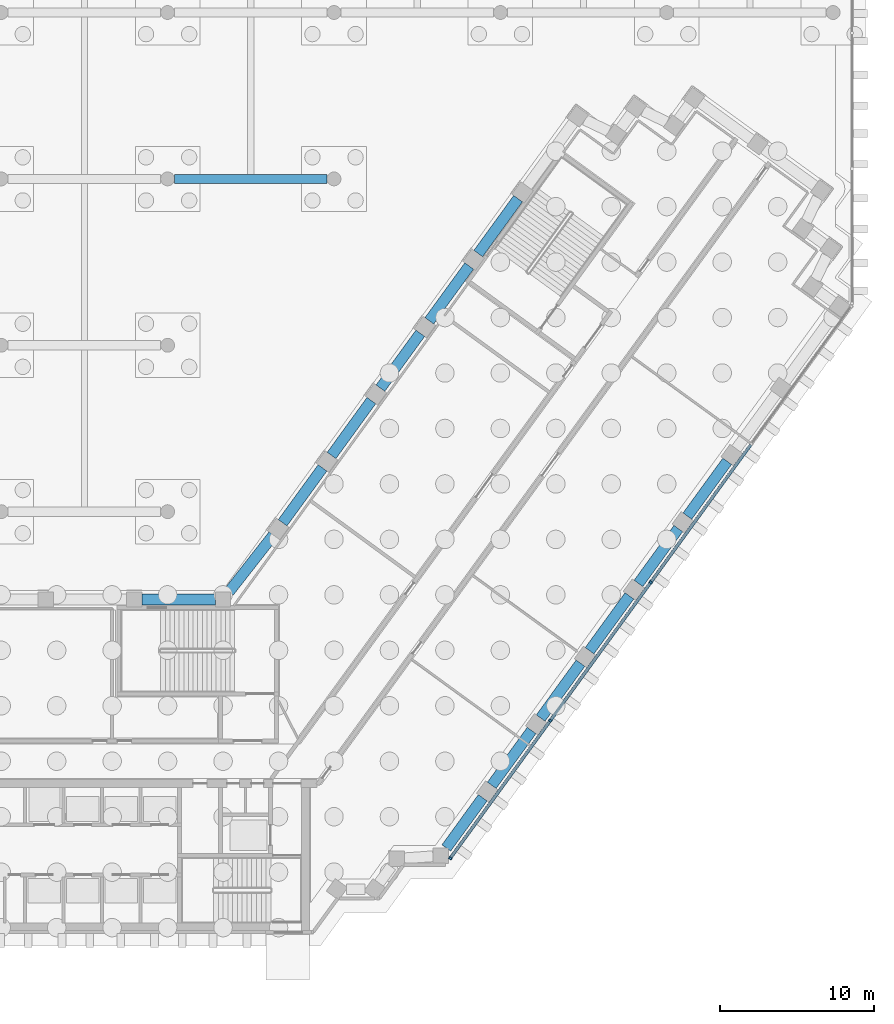
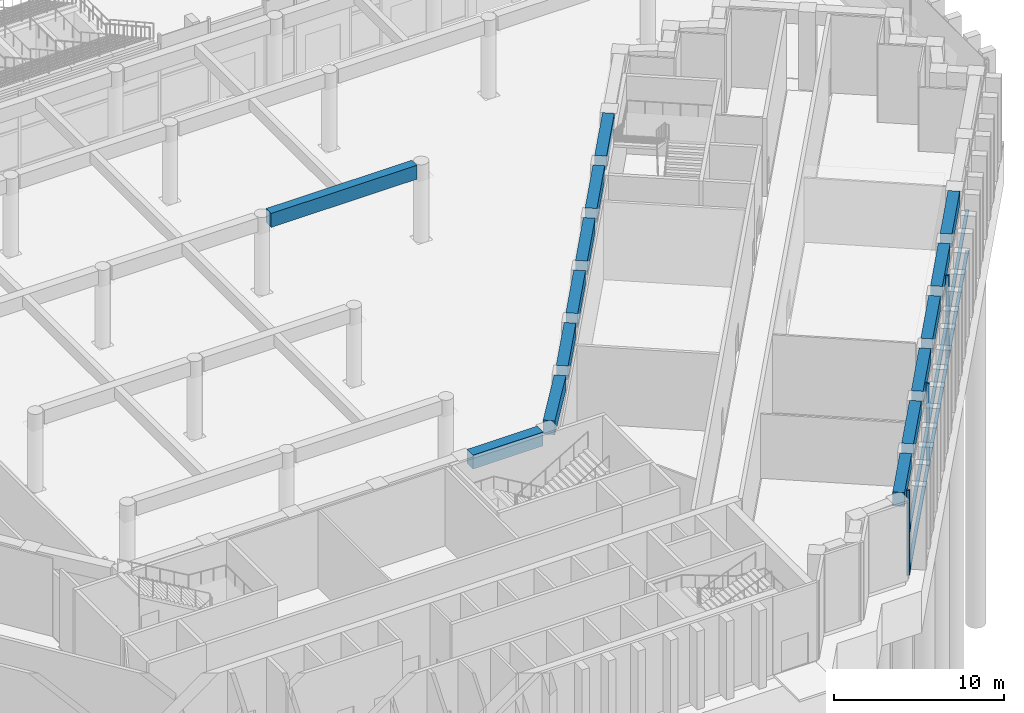
# One storey, part 8 of 32: 14 beams, 9 members, 1 element without a shape of its own.
"""IFC4 building model written with IfcOpenShell, lengths in metres."""

import ifcopenshell
import ifcopenshell.guid

model = None  # the IFC model being written
_history = None  # IfcOwnerHistory: only IFC2X3 demands one
_inside = {}  # id of a spatial element -> (the spatial element, [elements in it])
_under = {}  # id of a project, library or spatial element -> (it, [spatial elements below it])
_declared = {}  # id of a project -> (the project, [libraries it declares])
_typed = {}  # id of a type object -> (the type object, [elements of that type])
_made_of = {}  # id of a material, layer set ... -> (it, [elements and type objects made of it])


def new_model(schema):
    """Start an empty IFC model of exactly this schema.

    Asked for "IFC4X3", IfcOpenShell would pick the latest addendum, in which some entities
    have other attributes; the version numbers below select the first issue.
    IFC2X3 requires an IfcOwnerHistory on every rooted entity: one is made here for all.
    """
    global model, _history
    if schema == "IFC4X3":
        model = ifcopenshell.file(schema_version=(4, 3, 0, 0))
    else:
        model = ifcopenshell.file(schema=schema)
    _inside.clear()
    _under.clear()
    _declared.clear()
    _typed.clear()
    _made_of.clear()
    _history = None
    if model.schema == "IFC2X3":
        org = make("IfcOrganization", Name="unknown")
        user = make(
            "IfcPersonAndOrganization",
            ThePerson=make("IfcPerson", FamilyName="unknown"),
            TheOrganization=org,
        )
        app = make(
            "IfcApplication",
            ApplicationDeveloper=org,
            Version="unknown",
            ApplicationFullName="unknown",
            ApplicationIdentifier="unknown",
        )
        _history = make(
            "IfcOwnerHistory",
            OwningUser=user,
            OwningApplication=app,
            ChangeAction="ADDED",
            CreationDate=0,
        )
    return model


def make(cls, **values):
    """One entity of the class cls with the attributes given. An attribute that is None is left unset."""
    return model.create_entity(
        cls, **{name: value for name, value in values.items() if value is not None}
    )


def rooted(cls, **values):
    """An entity with a GlobalId (a new one), such as an element, a storey or a relation."""
    return make(cls, GlobalId=ifcopenshell.guid.new(), OwnerHistory=_history, **values)


def si_unit(unit_type, name, prefix=None):
    """IfcSIUnit, for example si_unit("LENGTHUNIT", "METRE", prefix="MILLI")."""
    return make("IfcSIUnit", UnitType=unit_type, Prefix=prefix, Name=name)


def assignment(units):
    """IfcUnitAssignment: the units of a project."""
    return None if units is None else make("IfcUnitAssignment", Units=units)


def point(xyz):
    """IfcCartesianPoint."""
    return None if xyz is None else make("IfcCartesianPoint", Coordinates=xyz)


def direction(xyz):
    """IfcDirection."""
    return None if xyz is None else make("IfcDirection", DirectionRatios=xyz)


def frame(location, z_axis=None, x_axis=None):
    """IfcAxis2Placement3D, a coordinate frame: its origin and axes. An axis left out is left unset."""
    return make(
        "IfcAxis2Placement3D",
        Location=point(location),
        Axis=direction(z_axis),
        RefDirection=direction(x_axis),
    )


def frame_2d(location, x_axis=None):
    """IfcAxis2Placement2D, a coordinate frame in the plane: its origin and x axis."""
    return make(
        "IfcAxis2Placement2D", Location=point(location), RefDirection=direction(x_axis)
    )


def origin():
    """The frame at (0, 0, 0) with its axes left unset."""
    return frame((0.0, 0.0, 0.0))


def origin_2d():
    """The frame at (0, 0) in the plane with its x axis left unset."""
    return frame_2d((0.0, 0.0))


def place(relative_to, where):
    """IfcLocalPlacement: puts the frame where relative to a parent placement (None: the world)."""
    return make(
        "IfcLocalPlacement", PlacementRelTo=relative_to, RelativePlacement=where
    )


def context(
    kind, dimensions, precision=None, world=None, true_north=None, identifier=None
):
    """IfcGeometricRepresentationContext, for example the 3D "Model" context."""
    return make(
        "IfcGeometricRepresentationContext",
        ContextIdentifier=identifier,
        ContextType=kind,
        CoordinateSpaceDimension=dimensions,
        Precision=precision,
        WorldCoordinateSystem=world,
        TrueNorth=true_north,
    )


def subcontext(parent, identifier, kind, view, scale=None):
    """IfcGeometricRepresentationSubContext, for example "Body" below "Model"."""
    return make(
        "IfcGeometricRepresentationSubContext",
        ContextIdentifier=identifier,
        ContextType=kind,
        ParentContext=parent,
        TargetScale=scale,
        TargetView=view,
    )


def project(units=None, contexts=None):
    """IfcProject with its units and contexts."""
    return rooted(
        "IfcProject",
        Name="project",
        RepresentationContexts=contexts,
        UnitsInContext=assignment(units),
    )


def spatial(cls, under=None, at=None, **own):
    """A site, building, storey or space (cls), placed at a placement, below another one or the project."""
    s = rooted(cls, ObjectPlacement=at, **own)
    if under is not None:
        _under.setdefault(under.id(), (under, []))[1].append(s)
    return s


def profile(cls, at=None, kind="AREA", **sizes):
    """A parametric profile (cls). Its sizes go by their IFC names, for example OverallWidth=200.0."""
    return make(cls, ProfileType=kind, Position=at, **sizes)


def rectangle(**sizes):
    """IfcRectangleProfileDef."""
    return profile("IfcRectangleProfileDef", **sizes)


def extrude(swept, where, along, depth):
    """IfcExtrudedAreaSolid: the profile swept, set in the frame where, extruded along a direction by depth."""
    return make(
        "IfcExtrudedAreaSolid",
        SweptArea=swept,
        Position=where,
        ExtrudedDirection=direction(along),
        Depth=depth,
    )


def shape(context_of_items, identifier, shape_type, items):
    """IfcShapeRepresentation: the items that make up one representation, for example the "Body"."""
    return make(
        "IfcShapeRepresentation",
        ContextOfItems=context_of_items,
        RepresentationIdentifier=identifier,
        RepresentationType=shape_type,
        Items=items,
    )


def material(Name=None, Category=None):
    """IfcMaterial."""
    return make("IfcMaterial", Name=Name, Category=Category)


def material_profile(
    of_material, cross_section, Name=None, Category=None, Priority=None
):
    """IfcMaterialProfile: a cross section and its material."""
    return make(
        "IfcMaterialProfile",
        Name=Name,
        Material=of_material,
        Profile=cross_section,
        Priority=Priority,
        Category=Category,
    )


def profile_set(profiles, Name=None, composite=None):
    """IfcMaterialProfileSet."""
    return make(
        "IfcMaterialProfileSet",
        Name=Name,
        MaterialProfiles=profiles,
        CompositeProfile=composite,
    )


def made_of(thing, what):
    """Note that an element or type object is made of a material, layer set ...; save() writes the relation."""
    if what is not None:
        _made_of.setdefault(what.id(), (what, []))[1].append(thing)
    return thing


def type_object(cls, material=None, **own):
    """A type object (cls), such as IfcWallType, which elements share."""
    return made_of(rooted(cls, **own), material)


def element(
    cls,
    number,
    at=None,
    inside=None,
    cuts=None,
    type_object=None,
    material=None,
    context=None,
    identifier="Body",
    shape_type=None,
    held_by="IfcProductDefinitionShape",
    body=None,
    shapes=None,
    **own,
):
    """One element of the class cls, such as IfcWall. Its Tag is "e" and its number.

    at: its placement. inside: the storey or other place that contains it. cuts: it is an
    opening in that element (IfcRelVoidsElement). A single representation is given by context,
    identifier, shape_type and body (its items); several are given by shapes. held_by: the class
    of the entity that holds the representations. save() writes the other relations.
    """
    e = rooted(cls, Tag="e%d" % number, ObjectPlacement=at, **own)
    if body is not None:
        shapes = [shape(context, identifier, shape_type, body)]
    if shapes is not None:
        e.Representation = make(held_by, Representations=shapes)
    if inside is not None:
        _inside.setdefault(inside.id(), (inside, []))[1].append(e)
    if cuts is not None:
        rooted(
            "IfcRelVoidsElement", RelatingBuildingElement=cuts, RelatedOpeningElement=e
        )
    if type_object is not None:
        _typed.setdefault(type_object.id(), (type_object, []))[1].append(e)
    return made_of(e, material)


def aggregate(whole, parts):
    """IfcRelAggregates: a whole, such as a stair, and the parts it consists of."""
    return rooted("IfcRelAggregates", RelatingObject=whole, RelatedObjects=parts)


def save(model, path):
    """Write the relations noted so far, then the file.

    IfcRelAggregates (storeys below a building ...), IfcRelContainedInSpatialStructure (elements
    in a storey), IfcRelDefinesByType, IfcRelAssociatesMaterial and IfcRelDeclares: one each for
    every whole, place, type object, material and project.
    """
    for whole, parts in _under.values():
        aggregate(whole, parts)
    for where, things in _inside.values():
        rooted(
            "IfcRelContainedInSpatialStructure",
            RelatedElements=things,
            RelatingStructure=where,
        )
    for kind, things in _typed.values():
        rooted("IfcRelDefinesByType", RelatedObjects=things, RelatingType=kind)
    for what, things in _made_of.values():
        rooted("IfcRelAssociatesMaterial", RelatedObjects=things, RelatingMaterial=what)
    for by, libraries in _declared.values():
        rooted("IfcRelDeclares", RelatingContext=by, RelatedDefinitions=libraries)
    model.write(path)


model = new_model("IFC4")

# Units and contexts
model_context = context("Model", 3, precision=1e-05, world=origin(), true_north=direction((0.0, 1.0)))
body_context = subcontext(model_context, "Body", "Model", "MODEL_VIEW")
ifc_project = project(units=[si_unit("LENGTHUNIT", "METRE"), si_unit("AREAUNIT", "SQUARE_METRE"), si_unit("VOLUMEUNIT", "CUBIC_METRE"), si_unit("PLANEANGLEUNIT", "RADIAN"), si_unit("MASSUNIT", "GRAM", prefix="KILO")], contexts=[model_context])

# Site, building, storey
site_placement = place(None, origin())
site = spatial("IfcSite", under=ifc_project, at=site_placement, CompositionType="ELEMENT")
building_placement = place(site_placement, origin())
building = spatial("IfcBuilding", under=site, at=building_placement, Name="Quipu Civic Tower", CompositionType="ELEMENT")
storey_placement = place(building_placement, origin())
storey = spatial("IfcBuildingStorey", under=building, at=storey_placement, Name="L00", CompositionType="ELEMENT", Elevation=0.0)

# Beam
ifc_material_1 = material(Name="Concrete C50/60", Category="concrete")
ifc_material_profile_1 = material_profile(ifc_material_1, rectangle(XDim=0.60009765625, YDim=1.0, at=origin_2d()), Name="RC600x1000")
ifc_profile_set_1 = profile_set([ifc_material_profile_1], Name="Concrete C50/60")
beam_type_1 = type_object("IfcBeamType", Name="Deck girder RC 600x1000 C50/60", PredefinedType="BEAM", material=ifc_profile_set_1)
beam_1_placement = place(storey_placement, frame((11.25, 37.800048828125, 5.10009765625), z_axis=(1.0, 0.0, 0.0), x_axis=(0.0, 1.0, 0.0)))
element("IfcBeam", 1, at=beam_1_placement, inside=storey, type_object=beam_type_1, Name="Deck girder 2 38", PredefinedType="BEAM", context=body_context, shape_type="SweptSolid", body=[
    extrude(rectangle(XDim=0.60009765625, YDim=1.0, at=origin_2d()), origin(), (0.0, 0.0, 1.0), 9.89990234375),
])

# Curtain wall, members
ifc_material_2 = material(Name="Insulated glass unit", Category="glass")
curtain_wall_type = type_object("IfcCurtainWallType", Name="Hall glazing CW2", PredefinedType="NOTDEFINED", material=ifc_material_2)
curtain_wall_placement = place(storey_placement, origin())
curtain_wall = element("IfcCurtainWall", 2, at=curtain_wall_placement, inside=storey, type_object=curtain_wall_type, Name="Hall glazing CW2 L00 run 1", PredefinedType="NOTDEFINED")
ifc_material_3 = material(Name="Anodised aluminium", Category="aluminium")
ifc_material_profile_2 = material_profile(ifc_material_3, rectangle(XDim=0.199951171875, YDim=0.139892578125, at=origin_2d()), Name="RECT 200x140")
ifc_profile_set_2 = profile_set([ifc_material_profile_2], Name="Anodised aluminium")
member_type_1 = type_object("IfcMemberType", Name="Mullion CW2", PredefinedType="MULLION", material=ifc_profile_set_2)
member_1_placement = place(storey_placement, frame((29.14697265625, -6.294677734375, 0.0), z_axis=(0.0, 0.0, 1.0), x_axis=(-0.809017581064, 0.587784444783, 0.0)))
member_1 = element("IfcMember", 3, at=member_1_placement, type_object=member_type_1, Name="CW2 mullion 1", PredefinedType="MULLION", context=body_context, shape_type="SweptSolid", body=[
    extrude(rectangle(XDim=0.199951171875, YDim=0.139892578125, at=origin_2d()), origin(), (0.0, 0.0, 1.0), 6.090087890625),
])
member_2_placement = place(storey_placement, frame((35.63427734375, 2.63427734375, 0.0), z_axis=(0.0, 0.0, 1.0), x_axis=(-0.809017581064, 0.587784444783, 0.0)))
member_2 = element("IfcMember", 4, at=member_2_placement, type_object=member_type_1, Name="CW2 mullion 2", PredefinedType="MULLION", context=body_context, shape_type="SweptSolid", body=[
    extrude(rectangle(XDim=0.199951171875, YDim=0.139892578125, at=origin_2d()), origin(), (0.0, 0.0, 1.0), 6.090087890625),
])
member_3_placement = place(storey_placement, frame((42.162841796875, 11.619873046875, 0.0), z_axis=(0.0, 0.0, 1.0), x_axis=(-0.809017581064, 0.587784444783, 0.0)))
member_3 = element("IfcMember", 5, at=member_3_placement, type_object=member_type_1, Name="CW2 mullion 3", PredefinedType="MULLION", context=body_context, shape_type="SweptSolid", body=[
    extrude(rectangle(XDim=0.199951171875, YDim=0.139892578125, at=origin_2d()), origin(), (0.0, 0.0, 1.0), 6.090087890625),
])

# Beams
ifc_material_4 = material(Name="Concrete C50/60", Category="concrete")
ifc_material_profile_3 = material_profile(ifc_material_4, rectangle(XDim=0.699951171875, YDim=1.0, at=origin_2d()), Name="RC700x1000")
ifc_profile_set_3 = profile_set([ifc_material_profile_3], Name="Concrete C50/60")
beam_type_2 = type_object("IfcBeamType", Name="Spandrel beam RC 700x1000 C50/60", PredefinedType="SPANDREL", material=ifc_profile_set_3)
beam_2_placement = place(storey_placement, frame((28.88818359375, -5.6298828125, 5.10009765625), z_axis=(0.587811022966, 0.808998270258, 0.0), x_axis=(-0.808998270258, 0.587811022966, 0.0)))
element("IfcBeam", 6, at=beam_2_placement, inside=storey, type_object=beam_type_2, Name="Spandrel beam L00 J-Eo.4 to E-OUT-01", PredefinedType="SPANDREL", context=body_context, shape_type="SweptSolid", body=[
    extrude(rectangle(XDim=0.699951171875, YDim=1.0, at=origin_2d()), origin(), (0.0, 0.0, 1.0), 4.025390625),
])
for number, where, z_axis, x_axis, name in (
    (7, (31.84228515625, -1.564208984375, 5.10009765625), (0.587759228046, 0.809035901457, 0.0), (-0.809035901457, 0.587759228046, 0.0), "Spandrel beam L00 E-OUT-01 to E-OUT-02"),
    (8, (35.01611328125, 2.804443359375, 5.10009765625), (0.587759228046, 0.809035901457, 0.0), (-0.809035901457, 0.587759228046, 0.0), "Spandrel beam L00 E-OUT-02 to E-OUT-03"),
    (9, (38.190185546875, 7.173095703125, 5.10009765625), (0.58779554378, 0.809009517072, 0.0), (-0.809009517072, 0.58779554378, 0.0), "Spandrel beam L00 E-OUT-03 to E-OUT-04"),
    (10, (41.3642578125, 11.5419921875, 5.10009765625), (0.587759228046, 0.809035901457, 0.0), (-0.809035901457, 0.587759228046, 0.0), "Spandrel beam L00 E-OUT-04 to E-OUT-05"),
):
    element("IfcBeam", number, at=place(storey_placement, frame(where, z_axis=z_axis, x_axis=x_axis)), inside=storey, type_object=beam_type_2, Name=name, PredefinedType="SPANDREL", context=body_context, shape_type="SweptSolid", body=[
        extrude(rectangle(XDim=0.699951171875, YDim=1.0, at=origin_2d()), origin(), (0.0, 0.0, 1.0), 4.400146484375),
    ])
beam_3_placement = place(storey_placement, frame((44.538330078125, 15.91064453125, 5.10009765625), z_axis=(0.587785613349, 0.809016732052, 0.0), x_axis=(-0.809016732052, 0.587785613349, 0.0)))
element("IfcBeam", 11, at=beam_3_placement, inside=storey, type_object=beam_type_2, Name="Spandrel beam L00 E-OUT-05 to E-OUT-06", PredefinedType="SPANDREL", context=body_context, shape_type="SweptSolid", body=[
    extrude(rectangle(XDim=0.699951171875, YDim=1.0, at=origin_2d()), origin(), (0.0, 0.0, 1.0), 4.39990234375),
])
for number, where, z_axis, x_axis, name in (
    (12, (33.549072265625, 36.5146484375, 5.10009765625), (-0.587759228046, -0.809035901457, 0.0), (0.809035901457, -0.587759228046, 0.0), "Spandrel beam L00 E-IN-06 to E-IN-05"),
    (13, (30.375244140625, 32.145751953125, 5.10009765625), (-0.587759228046, -0.809035901457, 0.0), (0.809035901457, -0.587759228046, 0.0), "Spandrel beam L00 E-IN-05 to E-IN-04"),
    (14, (27.201416015625, 27.777099609375, 5.10009765625), (-0.587732844487, -0.809055068281, 0.0), (0.809055068281, -0.587732844487, 0.0), "Spandrel beam L00 E-IN-04 to E-IN-03"),
    (15, (24.02734375, 23.408203125, 5.10009765625), (-0.587759228046, -0.809035901457, 0.0), (0.809035901457, -0.587759228046, 0.0), "Spandrel beam L00 E-IN-03 to E-IN-02"),
):
    element("IfcBeam", number, at=place(storey_placement, frame(where, z_axis=z_axis, x_axis=x_axis)), inside=storey, type_object=beam_type_2, Name=name, PredefinedType="SPANDREL", context=body_context, shape_type="SweptSolid", body=[
        extrude(rectangle(XDim=0.699951171875, YDim=1.0, at=origin_2d()), origin(), (0.0, 0.0, 1.0), 4.400146484375),
    ])
beam_4_placement = place(storey_placement, frame((20.853515625, 19.039306640625, 5.10009765625), z_axis=(-0.587722908759, -0.809062285934, 0.0), x_axis=(0.809062285934, -0.587722908759, 0.0)))
element("IfcBeam", 16, at=beam_4_placement, inside=storey, type_object=beam_type_2, Name="Spandrel beam L00 E-IN-02 to E-IN-01", PredefinedType="SPANDREL", context=body_context, shape_type="SweptSolid", body=[
    extrude(rectangle(XDim=0.699951171875, YDim=1.0, at=origin_2d()), origin(), (0.0, 0.0, 1.0), 4.39990234375),
])
beam_5_placement = place(storey_placement, frame((17.665283203125, 14.680908203125, 5.10009765625), z_axis=(-0.616068753057, -0.787692383806, 0.0), x_axis=(0.787692383806, -0.616068753057, 0.0)))
element("IfcBeam", 17, at=beam_5_placement, inside=storey, type_object=beam_type_2, Name="Spandrel beam L00 E-IN-01 to J-Ei.0", PredefinedType="SPANDREL", context=body_context, shape_type="SweptSolid", body=[
    extrude(rectangle(XDim=0.699951171875, YDim=1.0, at=origin_2d()), origin(), (0.0, 0.0, 1.0), 4.673095703125),
])
beam_6_placement = place(storey_placement, frame((13.895263671875, 10.5, 5.10009765625), z_axis=(-1.0, 0.0, 0.0), x_axis=(0.0, -1.0, 0.0)))
element("IfcBeam", 18, at=beam_6_placement, inside=storey, type_object=beam_type_2, Name="Spandrel beam L00 J-Ei.0 to FRONT-01", PredefinedType="SPANDREL", context=body_context, shape_type="SweptSolid", body=[
    extrude(rectangle(XDim=0.699951171875, YDim=1.0, at=origin_2d()), origin(), (0.0, 0.0, 1.0), 4.758056640625),
])

# Member
ifc_material_5 = material(Name="Anodised aluminium", Category="aluminium")
ifc_material_profile_4 = material_profile(ifc_material_5, rectangle(XDim=0.199951171875, YDim=0.179931640625, at=origin_2d()), Name="RECT 200x180")
ifc_profile_set_4 = profile_set([ifc_material_profile_4], Name="Anodised aluminium")
member_type_2 = type_object("IfcMemberType", Name="Transom CW2", PredefinedType="USERDEFINED", material=ifc_profile_set_4)
member_4_placement = place(storey_placement, frame((29.188232421875, -6.238037109375, 0.090087890625), z_axis=(0.587789297473, 0.809014055364, 0.0), x_axis=(-0.809014055364, 0.587789297473, 0.0)))
member_4 = element("IfcMember", 19, at=member_4_placement, type_object=member_type_2, Name="CW2 transom 1.1", ObjectType="TRANSOM", PredefinedType="USERDEFINED", context=body_context, shape_type="SweptSolid", body=[
    extrude(rectangle(XDim=0.199951171875, YDim=0.179931640625, at=origin_2d()), origin(), (0.0, 0.0, 1.0), 10.896728515625),
])

member_5_placement = place(storey_placement, frame((29.188232421875, -6.238037109375, 3.0), z_axis=(0.587789297473, 0.809014055364, 0.0), x_axis=(-0.809014055364, 0.587789297473, 0.0)))
member_5 = element("IfcMember", 20, at=member_5_placement, type_object=member_type_2, Name="CW2 transom 1.2", ObjectType="TRANSOM", PredefinedType="USERDEFINED", context=body_context, shape_type="SweptSolid", body=[
    extrude(rectangle(XDim=0.199951171875, YDim=0.179931640625, at=origin_2d()), origin(), (0.0, 0.0, 1.0), 10.896728515625),
])

member_6_placement = place(storey_placement, frame((35.675537109375, 2.69091796875, 0.090087890625), z_axis=(0.587781143224, 0.809019979772, 0.0), x_axis=(-0.809019979772, 0.587781143224, 0.0)))
member_6 = element("IfcMember", 21, at=member_6_placement, type_object=member_type_2, Name="CW2 transom 2.1", ObjectType="TRANSOM", PredefinedType="USERDEFINED", context=body_context, shape_type="SweptSolid", body=[
    extrude(rectangle(XDim=0.199951171875, YDim=0.179931640625, at=origin_2d()), origin(), (0.0, 0.0, 1.0), 10.966796875),
])

member_7_placement = place(storey_placement, frame((35.675537109375, 2.69091796875, 3.0), z_axis=(0.587781143224, 0.809019979772, 0.0), x_axis=(-0.809019979772, 0.587781143224, 0.0)))
member_7 = element("IfcMember", 22, at=member_7_placement, type_object=member_type_2, Name="CW2 transom 2.2", ObjectType="TRANSOM", PredefinedType="USERDEFINED", context=body_context, shape_type="SweptSolid", body=[
    extrude(rectangle(XDim=0.199951171875, YDim=0.179931640625, at=origin_2d()), origin(), (0.0, 0.0, 1.0), 10.966796875),
])

member_8_placement = place(storey_placement, frame((42.203857421875, 11.676513671875, 0.090087890625), z_axis=(0.587795713653, 0.809009393648, 0.0), x_axis=(-0.809009393648, 0.587795713653, 0.0)))
member_8 = element("IfcMember", 23, at=member_8_placement, type_object=member_type_2, Name="CW2 transom 3.1", ObjectType="TRANSOM", PredefinedType="USERDEFINED", context=body_context, shape_type="SweptSolid", body=[
    extrude(rectangle(XDim=0.199951171875, YDim=0.179931640625, at=origin_2d()), origin(), (0.0, 0.0, 1.0), 10.966796875),
])

member_9_placement = place(storey_placement, frame((42.203857421875, 11.676513671875, 3.0), z_axis=(0.587795713653, 0.809009393648, 0.0), x_axis=(-0.809009393648, 0.587795713653, 0.0)))
member_9 = element("IfcMember", 24, at=member_9_placement, type_object=member_type_2, Name="CW2 transom 3.2", ObjectType="TRANSOM", PredefinedType="USERDEFINED", context=body_context, shape_type="SweptSolid", body=[
    extrude(rectangle(XDim=0.199951171875, YDim=0.179931640625, at=origin_2d()), origin(), (0.0, 0.0, 1.0), 10.966796875),
])

aggregate(curtain_wall, [member_1, member_2, member_3, member_4, member_5, member_6, member_7, member_8, member_9])

save(model, "model.ifc")
